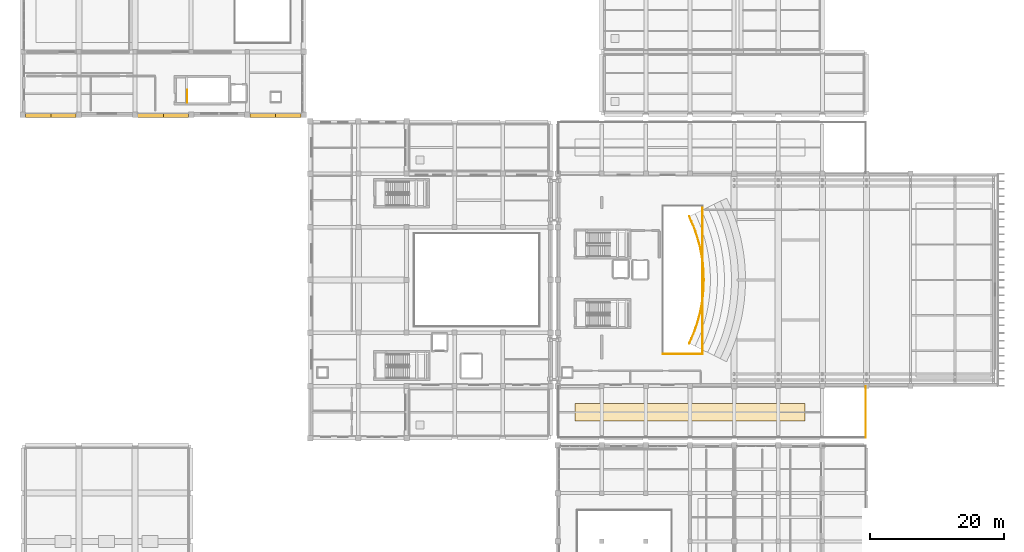
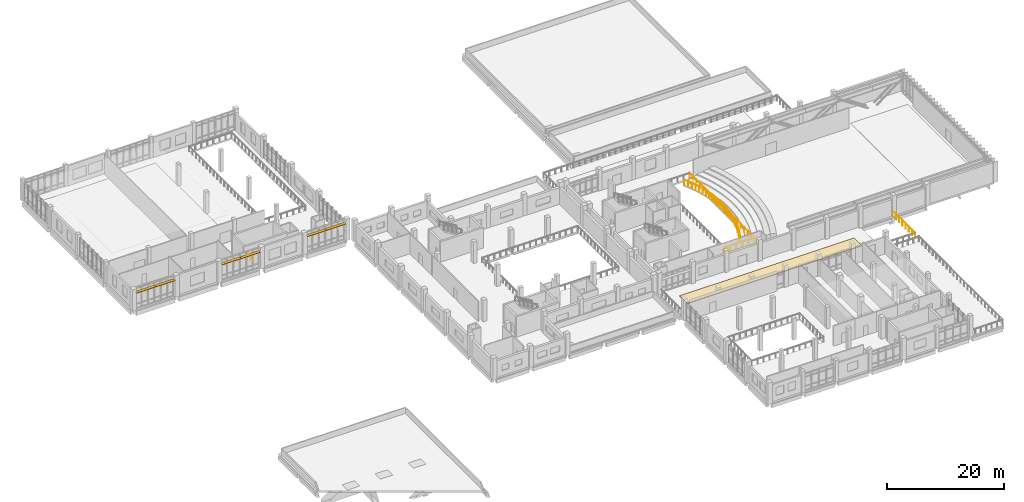
# One storey, part 51 of 54: 16 railings, 6 shading devices, 1 covering.
"""IFC4 building model written with IfcOpenShell, lengths in metres."""

from ifc_helpers import new_model, si_unit, direction, frame, origin, origin_2d, place, context, subcontext, project, spatial, polyline, rectangle, circle, outline, extrude, material, layer, layer_set, type_object, element, save


model = new_model("IFC4")

# Units and contexts
model_context = context("Model", 3, precision=1e-05, world=origin(), true_north=direction((0.0, 1.0)))
body_context = subcontext(model_context, "Body", "Model", "MODEL_VIEW")
ifc_project = project(units=[si_unit("LENGTHUNIT", "METRE"), si_unit("AREAUNIT", "SQUARE_METRE"), si_unit("VOLUMEUNIT", "CUBIC_METRE"), si_unit("PLANEANGLEUNIT", "RADIAN"), si_unit("MASSUNIT", "GRAM", prefix="KILO")], contexts=[model_context])

# Site, building, storey
site_placement = place(None, origin())
site = spatial("IfcSite", under=ifc_project, at=site_placement, CompositionType="ELEMENT")
building_placement = place(site_placement, origin())
building = spatial("IfcBuilding", under=site, at=building_placement, Name="Kelarvand Opera House", CompositionType="ELEMENT")
storey_placement = place(building_placement, frame((0.0, 0.0, 15.0)))
storey = spatial("IfcBuildingStorey", under=building, at=storey_placement, Name="L03", CompositionType="ELEMENT", Elevation=15.0)

# Shading devices
ifc_material_1 = material(Name="Anodised bronze acoustic louvre")
ifc_layer_1 = layer(ifc_material_1, 0.070068359375, Name="Anodised bronze acoustic louvre")
ifc_layer_set_1 = layer_set([ifc_layer_1], Name="Anodised bronze acoustic louvre")
shading_device_type = type_object("IfcShadingDeviceType", Name="Horizontal Acoustic and Solar Bronze Louvre 600x70", PredefinedType="USERDEFINED", material=ifc_layer_set_1)
shading_device_1_placement = place(storey_placement, frame((48.69189453125, 87.0849609375, 3.46484375), z_axis=(0.0, 0.0, 1.0), x_axis=(-1.0, 0.0, 0.0)))
element("IfcShadingDevice", 1, at=shading_device_1_placement, inside=storey, type_object=shading_device_type, Name="V3 Sun Hood Louvre 17", ObjectType="LOUVRE", PredefinedType="USERDEFINED", context=body_context, shape_type="SweptSolid", body=[
    extrude(rectangle(XDim=3.81591796875, YDim=0.60009765625, at=origin_2d()), origin(), (0.0, 0.0, 1.0), 0.070068359375),
])
shading_device_2_placement = place(storey_placement, frame((44.909912109375, 87.0849609375, 3.46484375), z_axis=(0.0, 0.0, 1.0), x_axis=(-1.0, 0.0, 0.0)))
element("IfcShadingDevice", 2, at=shading_device_2_placement, inside=storey, type_object=shading_device_type, Name="V3 Sun Hood Louvre 18", ObjectType="LOUVRE", PredefinedType="USERDEFINED", context=body_context, shape_type="SweptSolid", body=[
    extrude(rectangle(XDim=3.820068359375, YDim=0.60009765625, at=origin_2d()), origin(), (0.0, 0.0, 1.0), 0.070068359375),
])
shading_device_3_placement = place(storey_placement, frame((31.89208984375, 87.0849609375, 3.46484375), z_axis=(0.0, 0.0, 1.0), x_axis=(-1.0, 0.0, 0.0)))
element("IfcShadingDevice", 3, at=shading_device_3_placement, inside=storey, type_object=shading_device_type, Name="V3 Sun Hood Louvre 19", ObjectType="LOUVRE", PredefinedType="USERDEFINED", context=body_context, shape_type="SweptSolid", body=[
    extrude(rectangle(XDim=3.81591796875, YDim=0.60009765625, at=origin_2d()), origin(), (0.0, 0.0, 1.0), 0.070068359375),
])
shading_device_4_placement = place(storey_placement, frame((28.110107421875, 87.0849609375, 3.46484375), z_axis=(0.0, 0.0, 1.0), x_axis=(-1.0, 0.0, 0.0)))
element("IfcShadingDevice", 4, at=shading_device_4_placement, inside=storey, type_object=shading_device_type, Name="V3 Sun Hood Louvre 20", ObjectType="LOUVRE", PredefinedType="USERDEFINED", context=body_context, shape_type="SweptSolid", body=[
    extrude(rectangle(XDim=3.820068359375, YDim=0.60009765625, at=origin_2d()), origin(), (0.0, 0.0, 1.0), 0.070068359375),
])
shading_device_5_placement = place(storey_placement, frame((15.092041015625, 87.0849609375, 3.46484375), z_axis=(0.0, 0.0, 1.0), x_axis=(-1.0, 0.0, 0.0)))
element("IfcShadingDevice", 5, at=shading_device_5_placement, inside=storey, type_object=shading_device_type, Name="V3 Sun Hood Louvre 21", ObjectType="LOUVRE", PredefinedType="USERDEFINED", context=body_context, shape_type="SweptSolid", body=[
    extrude(rectangle(XDim=3.81591796875, YDim=0.60009765625, at=origin_2d()), origin(), (0.0, 0.0, 1.0), 0.070068359375),
])
shading_device_6_placement = place(storey_placement, frame((11.31005859375, 87.0849609375, 3.46484375), z_axis=(0.0, 0.0, 1.0), x_axis=(-1.0, 0.0, 0.0)))
element("IfcShadingDevice", 6, at=shading_device_6_placement, inside=storey, type_object=shading_device_type, Name="V3 Sun Hood Louvre 22", ObjectType="LOUVRE", PredefinedType="USERDEFINED", context=body_context, shape_type="SweptSolid", body=[
    extrude(rectangle(XDim=3.820068359375, YDim=0.60009765625, at=origin_2d()), origin(), (0.0, 0.0, 1.0), 0.070068359375),
])

# Railings
ifc_material_2 = material(Name="Laminated safety glass with bronze cap rail", Category="glass")
railing_type_1 = type_object("IfcRailingType", Name="Laminated Glass and Bronze Foyer Balustrade 1120", PredefinedType="BALUSTRADE", material=ifc_material_2)
railing_1_placement = place(storey_placement, frame((135.080078125, 38.919921875, 0.0)))
element("IfcRailing", 7, at=railing_1_placement, inside=storey, type_object=railing_type_1, Name="V1 L03 Balustrade 6", PredefinedType="BALUSTRADE", context=body_context, shape_type="SweptSolid", body=[
    extrude(circle(Radius=0.02392578125, at=origin_2d()), frame((0.0, 0.0, 1.09619140625), z_axis=(0.0, 1.0, 0.0), x_axis=(-1.0, 0.0, 0.0)), (0.0, 0.0, 1.0), 7.630126953125),
    extrude(circle(Radius=0.02099609375, at=origin_2d()), origin(), (0.0, 0.0, 1.0), 1.072021484375),
    extrude(circle(Radius=0.02099609375, at=origin_2d()), frame((0.0, 1.090087890625, 0.0)), (0.0, 0.0, 1.0), 1.072021484375),
    extrude(circle(Radius=0.02099609375, at=origin_2d()), frame((0.0, 2.179931640625, 0.0)), (0.0, 0.0, 1.0), 1.072021484375),
    extrude(circle(Radius=0.02099609375, at=origin_2d()), frame((0.0, 3.27001953125, 0.0)), (0.0, 0.0, 1.0), 1.072021484375),
    extrude(circle(Radius=0.02099609375, at=origin_2d()), frame((0.0, 4.360107421875, 0.0)), (0.0, 0.0, 1.0), 1.072021484375),
    extrude(circle(Radius=0.02099609375, at=origin_2d()), frame((0.0, 5.4501953125, 0.0)), (0.0, 0.0, 1.0), 1.072021484375),
    extrude(circle(Radius=0.02099609375, at=origin_2d()), frame((0.0, 6.5400390625, 0.0)), (0.0, 0.0, 1.0), 1.072021484375),
    extrude(circle(Radius=0.02099609375, at=origin_2d()), frame((0.0, 7.630126953125, 0.0)), (0.0, 0.0, 1.0), 1.072021484375),
])
railing_2_placement = place(storey_placement, frame((110.679931640625, 73.580078125, 0.0)))
element("IfcRailing", 8, at=railing_2_placement, inside=storey, type_object=railing_type_1, Name="V1 L03 Balustrade 81", PredefinedType="BALUSTRADE", context=body_context, shape_type="SweptSolid", body=[
    extrude(circle(Radius=0.02392578125, at=origin_2d()), frame((0.0, 0.0, 1.09619140625), z_axis=(0.0, -1.0, 0.0), x_axis=(1.0, 0.0, 0.0)), (0.0, 0.0, 1.0), 22.16015625),
    extrude(circle(Radius=0.02099609375, at=origin_2d()), origin(), (0.0, 0.0, 1.0), 1.072021484375),
    extrude(circle(Radius=0.02099609375, at=origin_2d()), frame((0.0, -1.166259765625, 0.0)), (0.0, 0.0, 1.0), 1.072021484375),
    extrude(circle(Radius=0.02099609375, at=origin_2d()), frame((0.0, -2.332763671875, 0.0)), (0.0, 0.0, 1.0), 1.072021484375),
    extrude(circle(Radius=0.02099609375, at=origin_2d()), frame((0.0, -3.4990234375, 0.0)), (0.0, 0.0, 1.0), 1.072021484375),
    extrude(circle(Radius=0.02099609375, at=origin_2d()), frame((0.0, -4.665283203125, 0.0)), (0.0, 0.0, 1.0), 1.072021484375),
    extrude(circle(Radius=0.02099609375, at=origin_2d()), frame((0.0, -5.83154296875, 0.0)), (0.0, 0.0, 1.0), 1.072021484375),
    extrude(circle(Radius=0.02099609375, at=origin_2d()), frame((0.0, -6.998046875, 0.0)), (0.0, 0.0, 1.0), 1.072021484375),
    extrude(circle(Radius=0.02099609375, at=origin_2d()), frame((0.0, -8.164306640625, 0.0)), (0.0, 0.0, 1.0), 1.072021484375),
    extrude(circle(Radius=0.02099609375, at=origin_2d()), frame((0.0, -9.33056640625, 0.0)), (0.0, 0.0, 1.0), 1.072021484375),
    extrude(circle(Radius=0.02099609375, at=origin_2d()), frame((0.0, -10.496826171875, 0.0)), (0.0, 0.0, 1.0), 1.072021484375),
    extrude(circle(Radius=0.02099609375, at=origin_2d()), frame((0.0, -11.663330078125, 0.0)), (0.0, 0.0, 1.0), 1.072021484375),
    extrude(circle(Radius=0.02099609375, at=origin_2d()), frame((0.0, -12.82958984375, 0.0)), (0.0, 0.0, 1.0), 1.072021484375),
    extrude(circle(Radius=0.02099609375, at=origin_2d()), frame((0.0, -13.995849609375, 0.0)), (0.0, 0.0, 1.0), 1.072021484375),
    extrude(circle(Radius=0.02099609375, at=origin_2d()), frame((0.0, -15.162109375, 0.0)), (0.0, 0.0, 1.0), 1.072021484375),
    extrude(circle(Radius=0.02099609375, at=origin_2d()), frame((0.0, -16.32861328125, 0.0)), (0.0, 0.0, 1.0), 1.072021484375),
    extrude(circle(Radius=0.02099609375, at=origin_2d()), frame((0.0, -17.494873046875, 0.0)), (0.0, 0.0, 1.0), 1.072021484375),
    extrude(circle(Radius=0.02099609375, at=origin_2d()), frame((0.0, -18.6611328125, 0.0)), (0.0, 0.0, 1.0), 1.072021484375),
    extrude(circle(Radius=0.02099609375, at=origin_2d()), frame((0.0, -19.827392578125, 0.0)), (0.0, 0.0, 1.0), 1.072021484375),
    extrude(circle(Radius=0.02099609375, at=origin_2d()), frame((0.0, -20.993896484375, 0.0)), (0.0, 0.0, 1.0), 1.072021484375),
    extrude(circle(Radius=0.02099609375, at=origin_2d()), frame((0.0, -22.16015625, 0.0)), (0.0, 0.0, 1.0), 1.072021484375),
])
railing_3_placement = place(storey_placement, frame((110.679931640625, 51.419921875, 0.0)))
element("IfcRailing", 9, at=railing_3_placement, inside=storey, type_object=railing_type_1, Name="V1 L03 Balustrade 82", PredefinedType="BALUSTRADE", context=body_context, shape_type="SweptSolid", body=[
    extrude(circle(Radius=0.02392578125, at=origin_2d()), frame((0.0, 0.0, 1.09619140625), z_axis=(-1.0, 0.0, 0.0), x_axis=(0.0, -1.0, 0.0)), (0.0, 0.0, 1.0), 5.9599609375),
    extrude(circle(Radius=0.02099609375, at=origin_2d()), origin(), (0.0, 0.0, 1.0), 1.072021484375),
    extrude(circle(Radius=0.02099609375, at=origin_2d()), frame((-1.19189453125, 0.0, 0.0)), (0.0, 0.0, 1.0), 1.072021484375),
    extrude(circle(Radius=0.02099609375, at=origin_2d()), frame((-2.384033203125, 0.0, 0.0)), (0.0, 0.0, 1.0), 1.072021484375),
    extrude(circle(Radius=0.02099609375, at=origin_2d()), frame((-3.575927734375, 0.0, 0.0)), (0.0, 0.0, 1.0), 1.072021484375),
    extrude(circle(Radius=0.02099609375, at=origin_2d()), frame((-4.76806640625, 0.0, 0.0)), (0.0, 0.0, 1.0), 1.072021484375),
    extrude(circle(Radius=0.02099609375, at=origin_2d()), frame((-5.9599609375, 0.0, 0.0)), (0.0, 0.0, 1.0), 1.072021484375),
])
railing_4_placement = place(storey_placement, frame((108.685791015625, 52.99609375, 0.239990234375)))
element("IfcRailing", 10, at=railing_4_placement, inside=storey, type_object=railing_type_1, Name="V1 L03 Balustrade 189", PredefinedType="BALUSTRADE", context=body_context, shape_type="SweptSolid", body=[
    extrude(circle(Radius=0.02392578125, at=origin_2d()), frame((0.0, 0.0, 1.09619140625), z_axis=(0.40417543863, 0.914681482707, 0.0), x_axis=(-0.914681482707, 0.40417543863, 0.0)), (0.0, 0.0, 1.0), 1.639404296875),
    extrude(circle(Radius=0.02099609375, at=origin_2d()), origin(), (0.0, 0.0, 1.0), 1.072021484375),
    extrude(circle(Radius=0.02099609375, at=origin_2d()), frame((0.331298828125, 0.749755859375, 0.0)), (0.0, 0.0, 1.0), 1.072021484375),
    extrude(circle(Radius=0.02099609375, at=origin_2d()), frame((0.66259765625, 1.49951171875, 0.0)), (0.0, 0.0, 1.0), 1.072021484375),
])
railing_5_placement = place(storey_placement, frame((109.348388671875, 54.49560546875, 0.239990234375)))
element("IfcRailing", 11, at=railing_5_placement, inside=storey, type_object=railing_type_1, Name="V1 L03 Balustrade 190", PredefinedType="BALUSTRADE", context=body_context, shape_type="SweptSolid", body=[
    extrude(circle(Radius=0.02392578125, at=origin_2d()), frame((0.0, 0.0, 1.09619140625), z_axis=(0.333731357161, 0.942668224376, 0.0), x_axis=(-0.942668224376, 0.333731357161, 0.0)), (0.0, 0.0, 1.0), 1.639404296875),
    extrude(circle(Radius=0.02099609375, at=origin_2d()), origin(), (0.0, 0.0, 1.0), 1.072021484375),
    extrude(circle(Radius=0.02099609375, at=origin_2d()), frame((0.2734375, 0.772705078125, 0.0)), (0.0, 0.0, 1.0), 1.072021484375),
    extrude(circle(Radius=0.02099609375, at=origin_2d()), frame((0.547119140625, 1.54541015625, 0.0)), (0.0, 0.0, 1.0), 1.072021484375),
])
railing_6_placement = place(storey_placement, frame((109.8955078125, 56.041015625, 0.239990234375)))
element("IfcRailing", 12, at=railing_6_placement, inside=storey, type_object=railing_type_1, Name="V1 L03 Balustrade 191", PredefinedType="BALUSTRADE", context=body_context, shape_type="SweptSolid", body=[
    extrude(circle(Radius=0.02392578125, at=origin_2d()), frame((0.0, 0.0, 1.09619140625), z_axis=(0.261554243036, 0.9651887784, 0.0), x_axis=(-0.9651887784, 0.261554243036, 0.0)), (0.0, 0.0, 1.0), 1.63916015625),
    extrude(circle(Radius=0.02099609375, at=origin_2d()), origin(), (0.0, 0.0, 1.0), 1.072021484375),
    extrude(circle(Radius=0.02099609375, at=origin_2d()), frame((0.21435546875, 0.791015625, 0.0)), (0.0, 0.0, 1.0), 1.072021484375),
    extrude(circle(Radius=0.02099609375, at=origin_2d()), frame((0.4287109375, 1.58203125, 0.0)), (0.0, 0.0, 1.0), 1.072021484375),
])
railing_7_placement = place(storey_placement, frame((110.32421875, 57.623046875, 0.239990234375)))
element("IfcRailing", 13, at=railing_7_placement, inside=storey, type_object=railing_type_1, Name="V1 L03 Balustrade 192", PredefinedType="BALUSTRADE", context=body_context, shape_type="SweptSolid", body=[
    extrude(circle(Radius=0.02392578125, at=origin_2d()), frame((0.0, 0.0, 1.09619140625), z_axis=(0.188090609829, 0.982151679983, 0.0), x_axis=(-0.982151679983, 0.188090609829, 0.0)), (0.0, 0.0, 1.0), 1.639404296875),
    extrude(circle(Radius=0.02099609375, at=origin_2d()), origin(), (0.0, 0.0, 1.0), 1.072021484375),
    extrude(circle(Radius=0.02099609375, at=origin_2d()), frame((0.154296875, 0.80517578125, 0.0)), (0.0, 0.0, 1.0), 1.072021484375),
    extrude(circle(Radius=0.02099609375, at=origin_2d()), frame((0.308349609375, 1.610107421875, 0.0)), (0.0, 0.0, 1.0), 1.072021484375),
])
railing_8_placement = place(storey_placement, frame((110.632568359375, 59.233154296875, 0.239990234375)))
element("IfcRailing", 14, at=railing_8_placement, inside=storey, type_object=railing_type_1, Name="V1 L03 Balustrade 193", PredefinedType="BALUSTRADE", context=body_context, shape_type="SweptSolid", body=[
    extrude(circle(Radius=0.02392578125, at=origin_2d()), frame((0.0, 0.0, 1.09619140625), z_axis=(0.11319373868, 0.993572935181, 0.0), x_axis=(-0.993572935181, 0.11319373868, 0.0)), (0.0, 0.0, 1.0), 1.63916015625),
    extrude(circle(Radius=0.02099609375, at=origin_2d()), origin(), (0.0, 0.0, 1.0), 1.072021484375),
    extrude(circle(Radius=0.02099609375, at=origin_2d()), frame((0.0927734375, 0.814453125, 0.0)), (0.0, 0.0, 1.0), 1.072021484375),
    extrude(circle(Radius=0.02099609375, at=origin_2d()), frame((0.185546875, 1.628662109375, 0.0)), (0.0, 0.0, 1.0), 1.072021484375),
])
railing_9_placement = place(storey_placement, frame((110.818115234375, 60.86181640625, 0.239990234375)))
element("IfcRailing", 15, at=railing_9_placement, inside=storey, type_object=railing_type_1, Name="V1 L03 Balustrade 194", PredefinedType="BALUSTRADE", context=body_context, shape_type="SweptSolid", body=[
    extrude(circle(Radius=0.02392578125, at=origin_2d()), frame((0.0, 0.0, 1.09619140625), z_axis=(0.037678144773, 0.999289926601, 0.0), x_axis=(-0.999289926601, 0.037678144773, 0.0)), (0.0, 0.0, 1.0), 1.639404296875),
    extrude(circle(Radius=0.02099609375, at=origin_2d()), origin(), (0.0, 0.0, 1.0), 1.072021484375),
    extrude(circle(Radius=0.02099609375, at=origin_2d()), frame((0.03076171875, 0.819091796875, 0.0)), (0.0, 0.0, 1.0), 1.072021484375),
    extrude(circle(Radius=0.02099609375, at=origin_2d()), frame((0.061767578125, 1.63818359375, 0.0)), (0.0, 0.0, 1.0), 1.072021484375),
])
railing_10_placement = place(storey_placement, frame((110.8798828125, 62.5, 0.239990234375)))
element("IfcRailing", 16, at=railing_10_placement, inside=storey, type_object=railing_type_1, Name="V1 L03 Balustrade 195", PredefinedType="BALUSTRADE", context=body_context, shape_type="SweptSolid", body=[
    extrude(circle(Radius=0.02392578125, at=origin_2d()), frame((0.0, 0.0, 1.09619140625), z_axis=(-0.037678144773, 0.999289926601, 0.0), x_axis=(-0.999289926601, -0.037678144773, 0.0)), (0.0, 0.0, 1.0), 1.639404296875),
    extrude(circle(Radius=0.02099609375, at=origin_2d()), origin(), (0.0, 0.0, 1.0), 1.072021484375),
    extrude(circle(Radius=0.02099609375, at=origin_2d()), frame((-0.03076171875, 0.819091796875, 0.0)), (0.0, 0.0, 1.0), 1.072021484375),
    extrude(circle(Radius=0.02099609375, at=origin_2d()), frame((-0.061767578125, 1.63818359375, 0.0)), (0.0, 0.0, 1.0), 1.072021484375),
])
railing_11_placement = place(storey_placement, frame((110.818115234375, 64.13818359375, 0.239990234375)))
element("IfcRailing", 17, at=railing_11_placement, inside=storey, type_object=railing_type_1, Name="V1 L03 Balustrade 196", PredefinedType="BALUSTRADE", context=body_context, shape_type="SweptSolid", body=[
    extrude(circle(Radius=0.02392578125, at=origin_2d()), frame((0.0, 0.0, 1.09619140625), z_axis=(-0.11319373868, 0.993572935181, 0.0), x_axis=(-0.993572935181, -0.11319373868, 0.0)), (0.0, 0.0, 1.0), 1.63916015625),
    extrude(circle(Radius=0.02099609375, at=origin_2d()), origin(), (0.0, 0.0, 1.0), 1.072021484375),
    extrude(circle(Radius=0.02099609375, at=origin_2d()), frame((-0.0927734375, 0.814453125, 0.0)), (0.0, 0.0, 1.0), 1.072021484375),
    extrude(circle(Radius=0.02099609375, at=origin_2d()), frame((-0.185546875, 1.628662109375, 0.0)), (0.0, 0.0, 1.0), 1.072021484375),
])
railing_12_placement = place(storey_placement, frame((110.632568359375, 65.766845703125, 0.239990234375)))
element("IfcRailing", 18, at=railing_12_placement, inside=storey, type_object=railing_type_1, Name="V1 L03 Balustrade 197", PredefinedType="BALUSTRADE", context=body_context, shape_type="SweptSolid", body=[
    extrude(circle(Radius=0.02392578125, at=origin_2d()), frame((0.0, 0.0, 1.09619140625), z_axis=(-0.188090609829, 0.982151679983, 0.0), x_axis=(-0.982151679983, -0.188090609829, 0.0)), (0.0, 0.0, 1.0), 1.639404296875),
    extrude(circle(Radius=0.02099609375, at=origin_2d()), origin(), (0.0, 0.0, 1.0), 1.072021484375),
    extrude(circle(Radius=0.02099609375, at=origin_2d()), frame((-0.154296875, 0.80517578125, 0.0)), (0.0, 0.0, 1.0), 1.072021484375),
    extrude(circle(Radius=0.02099609375, at=origin_2d()), frame((-0.308349609375, 1.610107421875, 0.0)), (0.0, 0.0, 1.0), 1.072021484375),
])
railing_13_placement = place(storey_placement, frame((110.32421875, 67.376953125, 0.239990234375)))
element("IfcRailing", 19, at=railing_13_placement, inside=storey, type_object=railing_type_1, Name="V1 L03 Balustrade 198", PredefinedType="BALUSTRADE", context=body_context, shape_type="SweptSolid", body=[
    extrude(circle(Radius=0.02392578125, at=origin_2d()), frame((0.0, 0.0, 1.09619140625), z_axis=(-0.261554243036, 0.9651887784, 0.0), x_axis=(-0.9651887784, -0.261554243036, 0.0)), (0.0, 0.0, 1.0), 1.63916015625),
    extrude(circle(Radius=0.02099609375, at=origin_2d()), origin(), (0.0, 0.0, 1.0), 1.072021484375),
    extrude(circle(Radius=0.02099609375, at=origin_2d()), frame((-0.21435546875, 0.791015625, 0.0)), (0.0, 0.0, 1.0), 1.072021484375),
    extrude(circle(Radius=0.02099609375, at=origin_2d()), frame((-0.4287109375, 1.58203125, 0.0)), (0.0, 0.0, 1.0), 1.072021484375),
])
railing_14_placement = place(storey_placement, frame((109.8955078125, 68.958984375, 0.239990234375)))
element("IfcRailing", 20, at=railing_14_placement, inside=storey, type_object=railing_type_1, Name="V1 L03 Balustrade 199", PredefinedType="BALUSTRADE", context=body_context, shape_type="SweptSolid", body=[
    extrude(circle(Radius=0.02392578125, at=origin_2d()), frame((0.0, 0.0, 1.09619140625), z_axis=(-0.333731357161, 0.942668224376, 0.0), x_axis=(-0.942668224376, -0.333731357161, 0.0)), (0.0, 0.0, 1.0), 1.639404296875),
    extrude(circle(Radius=0.02099609375, at=origin_2d()), origin(), (0.0, 0.0, 1.0), 1.072021484375),
    extrude(circle(Radius=0.02099609375, at=origin_2d()), frame((-0.2734375, 0.772705078125, 0.0)), (0.0, 0.0, 1.0), 1.072021484375),
    extrude(circle(Radius=0.02099609375, at=origin_2d()), frame((-0.547119140625, 1.54541015625, 0.0)), (0.0, 0.0, 1.0), 1.072021484375),
])
railing_15_placement = place(storey_placement, frame((109.348388671875, 70.50439453125, 0.239990234375)))
element("IfcRailing", 21, at=railing_15_placement, inside=storey, type_object=railing_type_1, Name="V1 L03 Balustrade 200", PredefinedType="BALUSTRADE", context=body_context, shape_type="SweptSolid", body=[
    extrude(circle(Radius=0.02392578125, at=origin_2d()), frame((0.0, 0.0, 1.09619140625), z_axis=(-0.40417543863, 0.914681482707, 0.0), x_axis=(-0.914681482707, -0.40417543863, 0.0)), (0.0, 0.0, 1.0), 1.639404296875),
    extrude(circle(Radius=0.02099609375, at=origin_2d()), origin(), (0.0, 0.0, 1.0), 1.072021484375),
    extrude(circle(Radius=0.02099609375, at=origin_2d()), frame((-0.331298828125, 0.749755859375, 0.0)), (0.0, 0.0, 1.0), 1.072021484375),
    extrude(circle(Radius=0.02099609375, at=origin_2d()), frame((-0.66259765625, 1.49951171875, 0.0)), (0.0, 0.0, 1.0), 1.072021484375),
])
ifc_material_3 = material(Name="Powder-coated Steel S355", Category="steel")
railing_type_2 = type_object("IfcRailingType", Name="Painted Steel Stair and Void Guardrail 1100", PredefinedType="GUARDRAIL", material=ifc_material_3)
railing_16_placement = place(storey_placement, frame((33.610107421875, 89.0, 0.0)))
element("IfcRailing", 22, at=railing_16_placement, inside=storey, type_object=railing_type_2, Name="L03 ST-05 top well guard 1", PredefinedType="GUARDRAIL", context=body_context, shape_type="SweptSolid", body=[
    extrude(circle(Radius=0.02392578125, at=origin_2d()), frame((0.0, 0.0, 1.076171875), z_axis=(0.0, 1.0, 0.0), x_axis=(-1.0, 0.0, 0.0)), (0.0, 0.0, 1.0), 1.93994140625),
    extrude(circle(Radius=0.02099609375, at=origin_2d()), origin(), (0.0, 0.0, 1.0), 1.052001953125),
    extrude(circle(Radius=0.02099609375, at=origin_2d()), frame((0.0, 0.969970703125, 0.0)), (0.0, 0.0, 1.0), 1.052001953125),
    extrude(circle(Radius=0.02099609375, at=origin_2d()), frame((0.0, 1.93994140625, 0.0)), (0.0, 0.0, 1.0), 1.052001953125),
])

# Covering
ifc_material_4 = material(Name="Extensive drought-tolerant roof-garden substrate")
ifc_layer_2 = layer(ifc_material_4, 0.179931640625, Name="Extensive drought-tolerant roof-garden substrate")
ifc_layer_set_2 = layer_set([ifc_layer_2], Name="Extensive drought-tolerant roof-garden substrate")
covering_type = type_object("IfcCoveringType", Name="Planted Chaharbagh Roof-Garden Substrate Covering 180mm", PredefinedType="ROOFING", material=ifc_layer_set_2)
covering_placement = place(storey_placement, origin())
element("IfcCovering", 23, at=covering_placement, inside=storey, type_object=covering_type, Name="V1 L03 Planted Roof Garden Bed 1", PredefinedType="ROOFING", context=body_context, shape_type="SweptSolid", body=[
    extrude(outline(polyline([(91.60009765625, 41.39990234375), (126.0, 41.39990234375), (126.0, 44.0), (91.60009765625, 44.0), (91.60009765625, 41.39990234375)])), origin(), (0.0, 0.0, 1.0), 0.179931640625),
])

save(model, "model.ifc")
